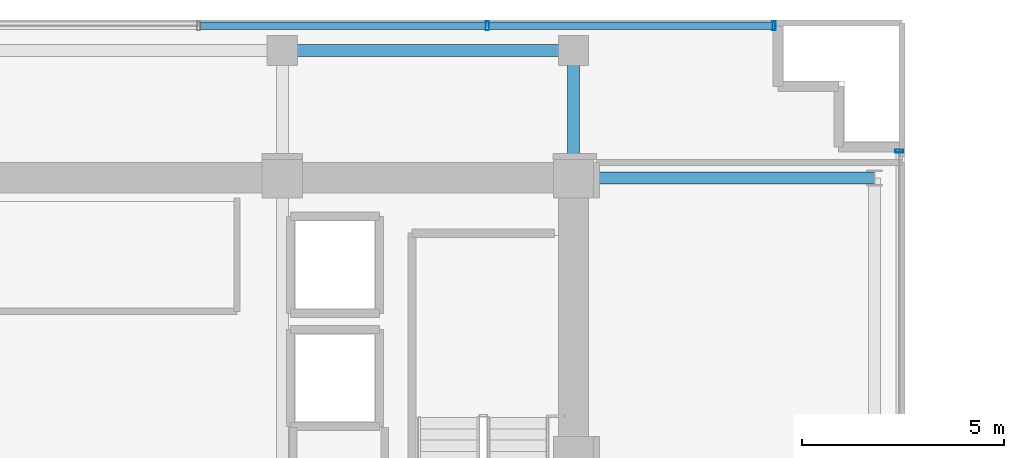
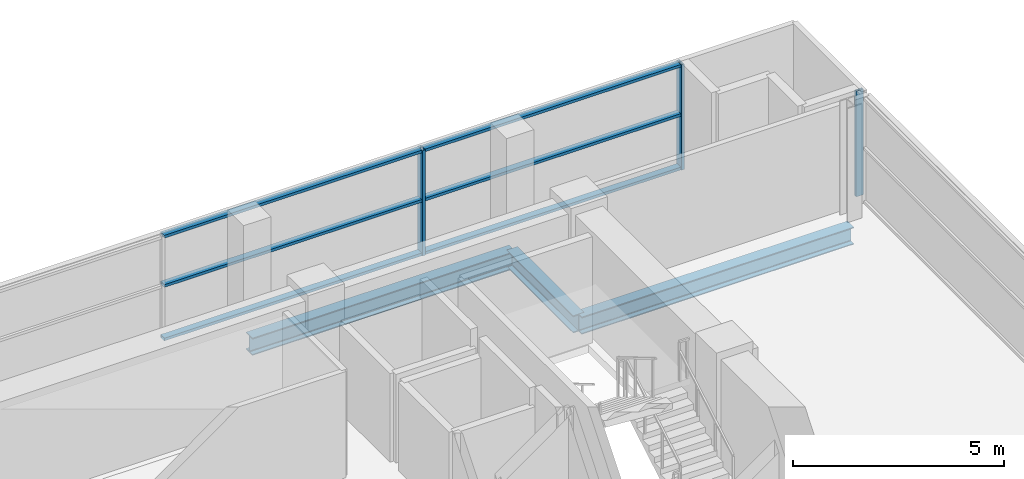
# One storey, part 16 of 25: 9 members, 3 beams, 2 elements without a shape of their own.
"""IFC4 building model written with IfcOpenShell, lengths in metres."""

from ifc_helpers import new_model, si_unit, direction, frame, origin, origin_2d, place, context, subcontext, project, spatial, hollow_rectangle, i_section, extrude, source, transform, mapped, material, layer, layer_set, material_profile, profile_set, type_object, element, aggregate, save


model = new_model("IFC4")

# Units and contexts
model_context = context("Model", 3, precision=1e-05, world=origin(), true_north=direction((0.0, 1.0)))
body_context = subcontext(model_context, "Body", "Model", "MODEL_VIEW")
ifc_project = project(units=[si_unit("LENGTHUNIT", "METRE"), si_unit("AREAUNIT", "SQUARE_METRE"), si_unit("VOLUMEUNIT", "CUBIC_METRE"), si_unit("PLANEANGLEUNIT", "RADIAN"), si_unit("MASSUNIT", "GRAM", prefix="KILO")], contexts=[model_context])

# Site, building, storey
site_placement = place(None, origin())
site = spatial("IfcSite", under=ifc_project, at=site_placement, CompositionType="ELEMENT")
building_placement = place(site_placement, origin())
building = spatial("IfcBuilding", under=site, at=building_placement, Name="Zarnakvel Exchange Tower", CompositionType="ELEMENT")
storey_placement = place(building_placement, frame((0.0, 0.0, 162.699951171875)))
storey = spatial("IfcBuildingStorey", under=building, at=storey_placement, Name="L45", CompositionType="ELEMENT", Elevation=162.699951171875)

# Beams
ifc_material_1 = material(Name="Steel S355", Category="steel")
ifc_material_profile_1 = material_profile(ifc_material_1, i_section(OverallWidth=0.300048828125, OverallDepth=0.5, WebThickness=0.014404296875, FlangeThickness=0.028076171875, FilletRadius=0.027099609375, at=origin_2d()))
ifc_profile_set_1 = profile_set([ifc_material_profile_1], Name="Steel S355")
beam_type_1 = type_object("IfcBeamType", Name="G-06", PredefinedType="BEAM", material=ifc_profile_set_1)
beam_1_placement = place(storey_placement, frame((14.39990234375, 13.5, -0.474853515625), z_axis=(1.0, 0.0, 0.0), x_axis=(0.0, 1.0, 0.0)))
element("IfcBeam", 1, at=beam_1_placement, inside=storey, type_object=beam_type_1, Name="L45 Tower E-W Frame Beam", PredefinedType="BEAM", context=body_context, shape_type="SweptSolid", body=[
    extrude(i_section(OverallWidth=0.300048828125, OverallDepth=0.5, WebThickness=0.014404296875, FlangeThickness=0.028076171875, FilletRadius=0.027099609375, at=origin_2d()), origin(), (0.0, 0.0, 1.0), 7.4501953125),
])
beam_2_placement = place(storey_placement, frame((14.39990234375, 13.5, -0.474853515625), z_axis=(0.0, 1.0, 0.0), x_axis=(-1.0, 0.0, 0.0)))
element("IfcBeam", 2, at=beam_2_placement, inside=storey, type_object=beam_type_1, Name="L45 Tower N-S Frame Beam", PredefinedType="BEAM", context=body_context, shape_type="SweptSolid", body=[
    extrude(i_section(OverallWidth=0.300048828125, OverallDepth=0.5, WebThickness=0.014404296875, FlangeThickness=0.028076171875, FilletRadius=0.027099609375, at=origin_2d()), origin(), (0.0, 0.0, 1.0), 3.14990234375),
])
ifc_material_profile_2 = material_profile(ifc_material_1, i_section(OverallWidth=0.300048828125, OverallDepth=0.5, WebThickness=0.014404296875, FlangeThickness=0.028076171875, FilletRadius=0.027099609375, at=origin_2d()))
ifc_profile_set_2 = profile_set([ifc_material_profile_2], Name="Steel S355")
beam_type_2 = type_object("IfcBeamType", Name="SP-02", PredefinedType="SPANDREL", material=ifc_profile_set_2)
beam_3_placement = place(storey_placement, frame((7.199951171875, 16.64990234375, -0.474853515625), z_axis=(1.0, 0.0, 0.0), x_axis=(0.0, 1.0, 0.0)))
element("IfcBeam", 3, at=beam_3_placement, inside=storey, type_object=beam_type_2, Name="L45 Tower E-W Frame Beam", PredefinedType="SPANDREL", context=body_context, shape_type="SweptSolid", body=[
    extrude(i_section(OverallWidth=0.300048828125, OverallDepth=0.5, WebThickness=0.014404296875, FlangeThickness=0.028076171875, FilletRadius=0.027099609375, at=origin_2d()), origin(), (0.0, 0.0, 1.0), 7.199951171875),
])

# Curtain wall, member
ifc_material_2 = material(Name="Architectural Bronze Anodised Aluminium", Category="aluminium")
ifc_layer_1 = layer(ifc_material_2, 0.199951171875)
ifc_layer_set_1 = layer_set([ifc_layer_1], Name="Architectural Bronze Anodised Aluminium")
curtain_wall_type_1 = type_object("IfcCurtainWallType", Name="CW-04", PredefinedType="NOTDEFINED", material=ifc_layer_set_1)
curtain_wall_1_placement = place(storey_placement, origin())
curtain_wall_1 = element("IfcCurtainWall", 4, at=curtain_wall_1_placement, inside=storey, type_object=curtain_wall_type_1, Name="L45 Curtain Wall CW-L45-EN (CW-04)", PredefinedType="NOTDEFINED")
ifc_material_profile_3 = material_profile(ifc_material_2, hollow_rectangle(XDim=0.199951171875, YDim=0.074951171875, WallThickness=0.0048828125, at=origin_2d()))
ifc_profile_set_3 = profile_set([ifc_material_profile_3], Name="Architectural Bronze Anodised Aluminium")
member_type_1 = type_object("IfcMemberType", Name="CWM-04", PredefinedType="MULLION", material=ifc_profile_set_3)
shared_shape_1 = source(origin(), body_context, "Body", "SweptSolid", [
    extrude(hollow_rectangle(XDim=0.199951171875, YDim=0.074951171875, WallThickness=0.0048828125, at=origin_2d()), origin(), (0.0, 0.0, 1.0), 3.054931640625),
])
member_1_placement = place(storey_placement, frame((22.4599609375, 14.16259765625, 0.0), z_axis=(0.0, 0.0, 1.0), x_axis=(-1.0, 0.0, 0.0)))
member_1 = element("IfcMember", 5, at=member_1_placement, type_object=member_type_1, Name="CW-04 mullion 3", PredefinedType="MULLION", context=body_context, shape_type="MappedRepresentation", body=[
    mapped(shared_shape_1, transform((0.0, 0.0, 0.0), x_axis=(1.0, 0.0, 0.0), y_axis=(0.0, 1.0, 0.0), z_axis=(0.0, 0.0, 1.0), scale=1.0)),
])
aggregate(curtain_wall_1, [member_1])

# Curtain wall, members
ifc_layer_2 = layer(ifc_material_2, 0.219970703125)
ifc_layer_set_2 = layer_set([ifc_layer_2], Name="Architectural Bronze Anodised Aluminium")
curtain_wall_type_2 = type_object("IfcCurtainWallType", Name="CW-03", PredefinedType="NOTDEFINED", material=ifc_layer_set_2)
curtain_wall_2_placement = place(storey_placement, origin())
curtain_wall_2 = element("IfcCurtainWall", 6, at=curtain_wall_2_placement, inside=storey, type_object=curtain_wall_type_2, Name="L45 Curtain Wall CW-L45-N1 (CW-03)", PredefinedType="NOTDEFINED")
ifc_material_profile_4 = material_profile(ifc_material_2, hollow_rectangle(XDim=0.219970703125, YDim=0.080078125, WallThickness=0.0048828125, at=origin_2d()))
ifc_profile_set_4 = profile_set([ifc_material_profile_4], Name="Architectural Bronze Anodised Aluminium")
member_type_2 = type_object("IfcMemberType", Name="CWM-03", PredefinedType="MULLION", material=ifc_profile_set_4)
shared_shape_2 = source(origin(), body_context, "Body", "SweptSolid", [
    extrude(hollow_rectangle(XDim=0.219970703125, YDim=0.080078125, WallThickness=0.0048828125, at=origin_2d()), origin(), (0.0, 0.0, 1.0), 3.054931640625),
])
member_2_placement = place(storey_placement, frame((12.2666015625, 17.260009765625, 0.0), z_axis=(0.0, 0.0, 1.0), x_axis=(0.0, 1.0, 0.0)))
member_2 = element("IfcMember", 7, at=member_2_placement, type_object=member_type_2, Name="CW-03 mullion 6", PredefinedType="MULLION", context=body_context, shape_type="MappedRepresentation", body=[
    mapped(shared_shape_2, transform((0.0, 0.0, 0.0), x_axis=(1.0, 0.0, 0.0), y_axis=(0.0, 1.0, 0.0), z_axis=(0.0, 0.0, 1.0), scale=1.0)),
])
member_3_placement = place(storey_placement, frame((19.360107421875, 17.260009765625, 0.0), z_axis=(0.0, 0.0, 1.0), x_axis=(0.0, 1.0, 0.0)))
member_3 = element("IfcMember", 8, at=member_3_placement, type_object=member_type_2, Name="CW-03 mullion 7", PredefinedType="MULLION", context=body_context, shape_type="MappedRepresentation", body=[
    mapped(shared_shape_2, transform((0.0, 0.0, 0.0), x_axis=(1.0, 0.0, 0.0), y_axis=(0.0, 1.0, 0.0), z_axis=(0.0, 0.0, 1.0), scale=1.0)),
])
ifc_material_profile_5 = material_profile(ifc_material_2, hollow_rectangle(XDim=0.179931640625, YDim=0.080078125, WallThickness=0.00390625, at=origin_2d()))
ifc_profile_set_5 = profile_set([ifc_material_profile_5], Name="Architectural Bronze Anodised Aluminium")
member_type_3 = type_object("IfcMemberType", Name="CWT-03", PredefinedType="USERDEFINED", material=ifc_profile_set_5)
shared_shape_3 = source(origin(), body_context, "Body", "SweptSolid", [
    extrude(hollow_rectangle(XDim=0.179931640625, YDim=0.080078125, WallThickness=0.00390625, at=origin_2d()), origin(), (0.0, 0.0, 1.0), 7.013427734375),
])
member_4_placement = place(storey_placement, frame((12.306640625, 17.260009765625, 0.0400390625), z_axis=(1.0, 0.0, 0.0), x_axis=(0.0, 1.0, 0.0)))
member_4 = element("IfcMember", 9, at=member_4_placement, type_object=member_type_3, Name="CW-03 transom 6.1", ObjectType="TRANSOM", PredefinedType="USERDEFINED", context=body_context, shape_type="MappedRepresentation", body=[
    mapped(shared_shape_3, transform((0.0, 0.0, 0.0), x_axis=(1.0, 0.0, 0.0), y_axis=(0.0, 1.0, 0.0), z_axis=(0.0, 0.0, 1.0), scale=1.0)),
])
member_5_placement = place(storey_placement, frame((12.306640625, 17.260009765625, 1.588623046875), z_axis=(1.0, 0.0, 0.0), x_axis=(0.0, 1.0, 0.0)))
member_5 = element("IfcMember", 10, at=member_5_placement, type_object=member_type_3, Name="CW-03 transom 6.2", ObjectType="TRANSOM", PredefinedType="USERDEFINED", context=body_context, shape_type="MappedRepresentation", body=[
    mapped(shared_shape_3, transform((0.0, 0.0, 0.0), x_axis=(1.0, 0.0, 0.0), y_axis=(0.0, 1.0, 0.0), z_axis=(0.0, 0.0, 1.0), scale=1.0)),
])
member_6_placement = place(storey_placement, frame((12.306640625, 17.260009765625, 3.01513671875), z_axis=(1.0, 0.0, 0.0), x_axis=(0.0, 1.0, 0.0)))
member_6 = element("IfcMember", 11, at=member_6_placement, type_object=member_type_3, Name="CW-03 transom 6.3", ObjectType="TRANSOM", PredefinedType="USERDEFINED", context=body_context, shape_type="MappedRepresentation", body=[
    mapped(shared_shape_3, transform((0.0, 0.0, 0.0), x_axis=(1.0, 0.0, 0.0), y_axis=(0.0, 1.0, 0.0), z_axis=(0.0, 0.0, 1.0), scale=1.0)),
])
shared_shape_4 = source(origin(), body_context, "Body", "SweptSolid", [
    extrude(hollow_rectangle(XDim=0.179931640625, YDim=0.080078125, WallThickness=0.00390625, at=origin_2d()), origin(), (0.0, 0.0, 1.0), 7.05322265625),
])
member_7_placement = place(storey_placement, frame((5.17333984375, 17.260009765625, 0.0400390625), z_axis=(1.0, 0.0, 0.0), x_axis=(0.0, 1.0, 0.0)))
member_7 = element("IfcMember", 12, at=member_7_placement, type_object=member_type_3, Name="CW-03 transom 5.1", ObjectType="TRANSOM", PredefinedType="USERDEFINED", context=body_context, shape_type="MappedRepresentation", body=[
    mapped(shared_shape_4, transform((0.0, 0.0, 0.0), x_axis=(1.0, 0.0, 0.0), y_axis=(0.0, 1.0, 0.0), z_axis=(0.0, 0.0, 1.0), scale=1.0)),
])
member_8_placement = place(storey_placement, frame((5.17333984375, 17.260009765625, 1.588623046875), z_axis=(1.0, 0.0, 0.0), x_axis=(0.0, 1.0, 0.0)))
member_8 = element("IfcMember", 13, at=member_8_placement, type_object=member_type_3, Name="CW-03 transom 5.2", ObjectType="TRANSOM", PredefinedType="USERDEFINED", context=body_context, shape_type="MappedRepresentation", body=[
    mapped(shared_shape_4, transform((0.0, 0.0, 0.0), x_axis=(1.0, 0.0, 0.0), y_axis=(0.0, 1.0, 0.0), z_axis=(0.0, 0.0, 1.0), scale=1.0)),
])
member_9_placement = place(storey_placement, frame((5.17333984375, 17.260009765625, 3.01513671875), z_axis=(1.0, 0.0, 0.0), x_axis=(0.0, 1.0, 0.0)))
member_9 = element("IfcMember", 14, at=member_9_placement, type_object=member_type_3, Name="CW-03 transom 5.3", ObjectType="TRANSOM", PredefinedType="USERDEFINED", context=body_context, shape_type="MappedRepresentation", body=[
    mapped(shared_shape_4, transform((0.0, 0.0, 0.0), x_axis=(1.0, 0.0, 0.0), y_axis=(0.0, 1.0, 0.0), z_axis=(0.0, 0.0, 1.0), scale=1.0)),
])
aggregate(curtain_wall_2, [member_2, member_3, member_7, member_8, member_9, member_4, member_5, member_6])

save(model, "model.ifc")
